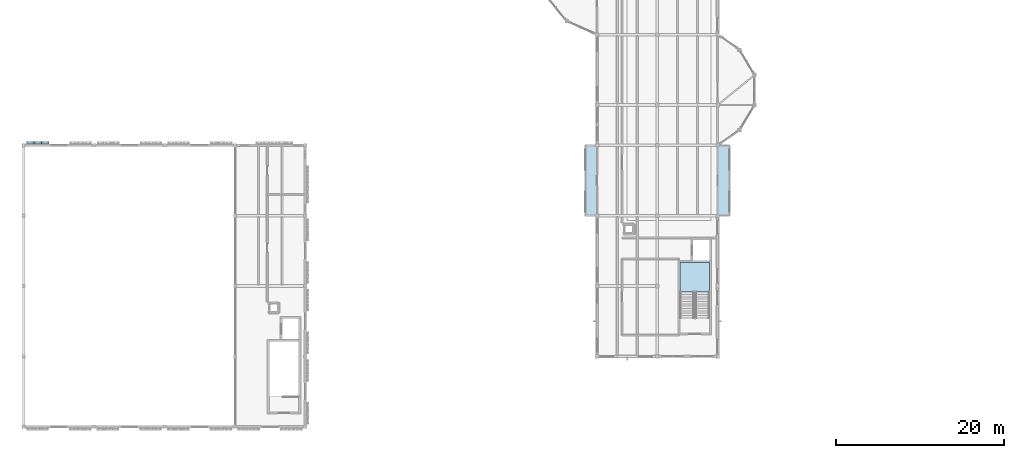
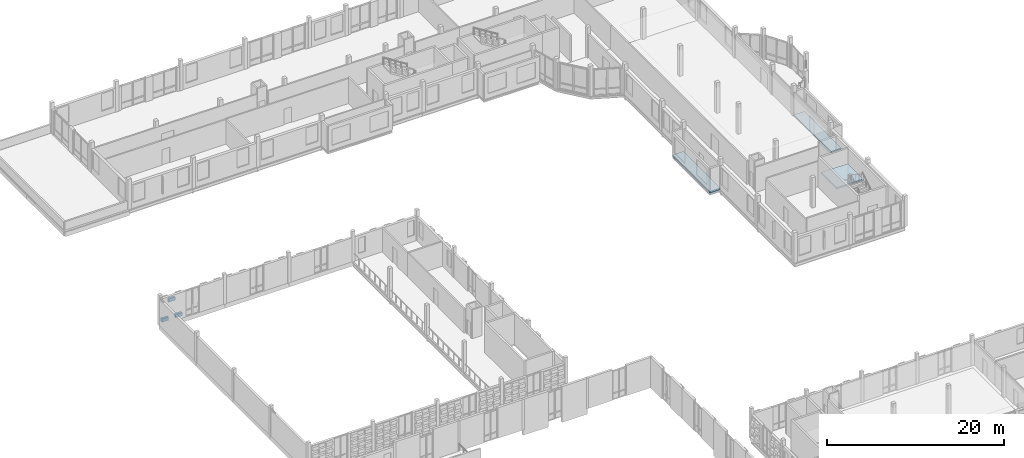
# One storey, part 37 of 81: 3 plates, 3 slabs, 1 element without a shape of its own.
"""IFC4 building model written with IfcOpenShell, lengths in metres."""

import ifcopenshell
import ifcopenshell.guid

model = None  # the IFC model being written
_history = None  # IfcOwnerHistory: only IFC2X3 demands one
_inside = {}  # id of a spatial element -> (the spatial element, [elements in it])
_under = {}  # id of a project, library or spatial element -> (it, [spatial elements below it])
_declared = {}  # id of a project -> (the project, [libraries it declares])
_typed = {}  # id of a type object -> (the type object, [elements of that type])
_made_of = {}  # id of a material, layer set ... -> (it, [elements and type objects made of it])


def new_model(schema):
    """Start an empty IFC model of exactly this schema.

    Asked for "IFC4X3", IfcOpenShell would pick the latest addendum, in which some entities
    have other attributes; the version numbers below select the first issue.
    IFC2X3 requires an IfcOwnerHistory on every rooted entity: one is made here for all.
    """
    global model, _history
    if schema == "IFC4X3":
        model = ifcopenshell.file(schema_version=(4, 3, 0, 0))
    else:
        model = ifcopenshell.file(schema=schema)
    _inside.clear()
    _under.clear()
    _declared.clear()
    _typed.clear()
    _made_of.clear()
    _history = None
    if model.schema == "IFC2X3":
        org = make("IfcOrganization", Name="unknown")
        user = make(
            "IfcPersonAndOrganization",
            ThePerson=make("IfcPerson", FamilyName="unknown"),
            TheOrganization=org,
        )
        app = make(
            "IfcApplication",
            ApplicationDeveloper=org,
            Version="unknown",
            ApplicationFullName="unknown",
            ApplicationIdentifier="unknown",
        )
        _history = make(
            "IfcOwnerHistory",
            OwningUser=user,
            OwningApplication=app,
            ChangeAction="ADDED",
            CreationDate=0,
        )
    return model


def make(cls, **values):
    """One entity of the class cls with the attributes given. An attribute that is None is left unset."""
    return model.create_entity(
        cls, **{name: value for name, value in values.items() if value is not None}
    )


def rooted(cls, **values):
    """An entity with a GlobalId (a new one), such as an element, a storey or a relation."""
    return make(cls, GlobalId=ifcopenshell.guid.new(), OwnerHistory=_history, **values)


def si_unit(unit_type, name, prefix=None):
    """IfcSIUnit, for example si_unit("LENGTHUNIT", "METRE", prefix="MILLI")."""
    return make("IfcSIUnit", UnitType=unit_type, Prefix=prefix, Name=name)


def assignment(units):
    """IfcUnitAssignment: the units of a project."""
    return None if units is None else make("IfcUnitAssignment", Units=units)


def point(xyz):
    """IfcCartesianPoint."""
    return None if xyz is None else make("IfcCartesianPoint", Coordinates=xyz)


def direction(xyz):
    """IfcDirection."""
    return None if xyz is None else make("IfcDirection", DirectionRatios=xyz)


def frame(location, z_axis=None, x_axis=None):
    """IfcAxis2Placement3D, a coordinate frame: its origin and axes. An axis left out is left unset."""
    return make(
        "IfcAxis2Placement3D",
        Location=point(location),
        Axis=direction(z_axis),
        RefDirection=direction(x_axis),
    )


def frame_2d(location, x_axis=None):
    """IfcAxis2Placement2D, a coordinate frame in the plane: its origin and x axis."""
    return make(
        "IfcAxis2Placement2D", Location=point(location), RefDirection=direction(x_axis)
    )


def origin():
    """The frame at (0, 0, 0) with its axes left unset."""
    return frame((0.0, 0.0, 0.0))


def origin_2d():
    """The frame at (0, 0) in the plane with its x axis left unset."""
    return frame_2d((0.0, 0.0))


def place(relative_to, where):
    """IfcLocalPlacement: puts the frame where relative to a parent placement (None: the world)."""
    return make(
        "IfcLocalPlacement", PlacementRelTo=relative_to, RelativePlacement=where
    )


def context(
    kind, dimensions, precision=None, world=None, true_north=None, identifier=None
):
    """IfcGeometricRepresentationContext, for example the 3D "Model" context."""
    return make(
        "IfcGeometricRepresentationContext",
        ContextIdentifier=identifier,
        ContextType=kind,
        CoordinateSpaceDimension=dimensions,
        Precision=precision,
        WorldCoordinateSystem=world,
        TrueNorth=true_north,
    )


def subcontext(parent, identifier, kind, view, scale=None):
    """IfcGeometricRepresentationSubContext, for example "Body" below "Model"."""
    return make(
        "IfcGeometricRepresentationSubContext",
        ContextIdentifier=identifier,
        ContextType=kind,
        ParentContext=parent,
        TargetScale=scale,
        TargetView=view,
    )


def project(units=None, contexts=None):
    """IfcProject with its units and contexts."""
    return rooted(
        "IfcProject",
        Name="project",
        RepresentationContexts=contexts,
        UnitsInContext=assignment(units),
    )


def spatial(cls, under=None, at=None, **own):
    """A site, building, storey or space (cls), placed at a placement, below another one or the project."""
    s = rooted(cls, ObjectPlacement=at, **own)
    if under is not None:
        _under.setdefault(under.id(), (under, []))[1].append(s)
    return s


def polyline(points):
    """IfcPolyline through the points."""
    return make("IfcPolyline", Points=[point(p) for p in points])


def profile(cls, at=None, kind="AREA", **sizes):
    """A parametric profile (cls). Its sizes go by their IFC names, for example OverallWidth=200.0."""
    return make(cls, ProfileType=kind, Position=at, **sizes)


def rectangle(**sizes):
    """IfcRectangleProfileDef."""
    return profile("IfcRectangleProfileDef", **sizes)


def outline(outer, holes=None, kind="AREA"):
    """IfcArbitraryClosedProfileDef: a profile drawn as a closed curve; with holes, ...WithVoids."""
    if holes is None:
        return make("IfcArbitraryClosedProfileDef", ProfileType=kind, OuterCurve=outer)
    return make(
        "IfcArbitraryProfileDefWithVoids",
        ProfileType=kind,
        OuterCurve=outer,
        InnerCurves=holes,
    )


def extrude(swept, where, along, depth):
    """IfcExtrudedAreaSolid: the profile swept, set in the frame where, extruded along a direction by depth."""
    return make(
        "IfcExtrudedAreaSolid",
        SweptArea=swept,
        Position=where,
        ExtrudedDirection=direction(along),
        Depth=depth,
    )


def shape(context_of_items, identifier, shape_type, items):
    """IfcShapeRepresentation: the items that make up one representation, for example the "Body"."""
    return make(
        "IfcShapeRepresentation",
        ContextOfItems=context_of_items,
        RepresentationIdentifier=identifier,
        RepresentationType=shape_type,
        Items=items,
    )


def material(Name=None, Category=None):
    """IfcMaterial."""
    return make("IfcMaterial", Name=Name, Category=Category)


def layer(
    of_material, thickness, ventilated=None, Name=None, Category=None, Priority=None
):
    """IfcMaterialLayer: one layer of a wall or slab, of a material (None: an air gap)."""
    return make(
        "IfcMaterialLayer",
        Material=of_material,
        LayerThickness=thickness,
        IsVentilated=ventilated,
        Name=Name,
        Category=Category,
        Priority=Priority,
    )


def layer_set(layers, Name=None):
    """IfcMaterialLayerSet."""
    return make("IfcMaterialLayerSet", MaterialLayers=layers, LayerSetName=Name)


def made_of(thing, what):
    """Note that an element or type object is made of a material, layer set ...; save() writes the relation."""
    if what is not None:
        _made_of.setdefault(what.id(), (what, []))[1].append(thing)
    return thing


def type_object(cls, material=None, **own):
    """A type object (cls), such as IfcWallType, which elements share."""
    return made_of(rooted(cls, **own), material)


def element(
    cls,
    number,
    at=None,
    inside=None,
    cuts=None,
    type_object=None,
    material=None,
    context=None,
    identifier="Body",
    shape_type=None,
    held_by="IfcProductDefinitionShape",
    body=None,
    shapes=None,
    **own,
):
    """One element of the class cls, such as IfcWall. Its Tag is "e" and its number.

    at: its placement. inside: the storey or other place that contains it. cuts: it is an
    opening in that element (IfcRelVoidsElement). A single representation is given by context,
    identifier, shape_type and body (its items); several are given by shapes. held_by: the class
    of the entity that holds the representations. save() writes the other relations.
    """
    e = rooted(cls, Tag="e%d" % number, ObjectPlacement=at, **own)
    if body is not None:
        shapes = [shape(context, identifier, shape_type, body)]
    if shapes is not None:
        e.Representation = make(held_by, Representations=shapes)
    if inside is not None:
        _inside.setdefault(inside.id(), (inside, []))[1].append(e)
    if cuts is not None:
        rooted(
            "IfcRelVoidsElement", RelatingBuildingElement=cuts, RelatedOpeningElement=e
        )
    if type_object is not None:
        _typed.setdefault(type_object.id(), (type_object, []))[1].append(e)
    return made_of(e, material)


def aggregate(whole, parts):
    """IfcRelAggregates: a whole, such as a stair, and the parts it consists of."""
    return rooted("IfcRelAggregates", RelatingObject=whole, RelatedObjects=parts)


def save(model, path):
    """Write the relations noted so far, then the file.

    IfcRelAggregates (storeys below a building ...), IfcRelContainedInSpatialStructure (elements
    in a storey), IfcRelDefinesByType, IfcRelAssociatesMaterial and IfcRelDeclares: one each for
    every whole, place, type object, material and project.
    """
    for whole, parts in _under.values():
        aggregate(whole, parts)
    for where, things in _inside.values():
        rooted(
            "IfcRelContainedInSpatialStructure",
            RelatedElements=things,
            RelatingStructure=where,
        )
    for kind, things in _typed.values():
        rooted("IfcRelDefinesByType", RelatedObjects=things, RelatingType=kind)
    for what, things in _made_of.values():
        rooted("IfcRelAssociatesMaterial", RelatedObjects=things, RelatingMaterial=what)
    for by, libraries in _declared.values():
        rooted("IfcRelDeclares", RelatingContext=by, RelatedDefinitions=libraries)
    model.write(path)


model = new_model("IFC4")

# Units and contexts
model_context = context("Model", 3, precision=1e-05, world=origin(), true_north=direction((0.0, 1.0)))
body_context = subcontext(model_context, "Body", "Model", "MODEL_VIEW")
ifc_project = project(units=[si_unit("LENGTHUNIT", "METRE"), si_unit("AREAUNIT", "SQUARE_METRE"), si_unit("VOLUMEUNIT", "CUBIC_METRE"), si_unit("PLANEANGLEUNIT", "RADIAN"), si_unit("MASSUNIT", "GRAM", prefix="KILO")], contexts=[model_context])

# Site, building, storey
site_placement = place(None, origin())
site = spatial("IfcSite", under=ifc_project, at=site_placement, CompositionType="ELEMENT")
building_placement = place(site_placement, origin())
building = spatial("IfcBuilding", under=site, at=building_placement, Name="Kahlenmark Community Centre", CompositionType="ELEMENT")
storey_placement = place(building_placement, frame((0.0, 0.0, 9.60009765625)))
storey = spatial("IfcBuildingStorey", under=building, at=storey_placement, Name="L02", CompositionType="ELEMENT", Elevation=9.60009765625)

# Plates
ifc_material_1 = material(Name="Extruded glazed terracotta weave cassette", Category="masonry")
ifc_layer_1 = layer(ifc_material_1, 0.300048828125)
ifc_layer_set_1 = layer_set([ifc_layer_1], Name="Extruded glazed terracotta weave cassette")
plate_type_1 = type_object("IfcPlateType", Name="PLT-TC-TC-R34-860X300X450", PredefinedType="SHEET", material=ifc_layer_set_1)
for number, where, z_axis, x_axis, name in (
    (1, (6.570068359375, 76.300048828125, 0.10009765625), (0.0, 0.0, 1.0), (-1.0, 0.0, 0.0), "Basketweave terracotta cassette 2494"),
    (2, (4.77001953125, 76.300048828125, 0.10009765625), (0.0, 0.0, 1.0), (-1.0, 0.0, 0.0), "Basketweave terracotta cassette 2508"),
):
    element("IfcPlate", number, at=place(storey_placement, frame(where, z_axis=z_axis, x_axis=x_axis)), inside=storey, type_object=plate_type_1, Name=name, PredefinedType="SHEET", context=body_context, shape_type="SweptSolid", body=[
        extrude(rectangle(XDim=0.860107421875, YDim=0.300048828125, at=origin_2d()), origin(), (0.0, 0.0, 1.0), 0.449951171875),
    ])
ifc_layer_2 = layer(ifc_material_1, 0.280029296875)
ifc_layer_set_2 = layer_set([ifc_layer_2], Name="Extruded glazed terracotta weave cassette")
plate_type_2 = type_object("IfcPlateType", Name="PLT-TC-TC-W30-860X280X450", PredefinedType="SHEET", material=ifc_layer_set_2)
plate_placement = place(storey_placement, frame((5.669921875, 76.2900390625, 2.5498046875), z_axis=(0.0, 0.0, 1.0), x_axis=(-1.0, 0.0, 0.0)))
element("IfcPlate", 3, at=plate_placement, inside=storey, type_object=plate_type_2, Name="Basketweave terracotta cassette 2506", PredefinedType="SHEET", context=body_context, shape_type="SweptSolid", body=[
    extrude(rectangle(XDim=0.860107421875, YDim=0.280029296875, at=origin_2d()), origin(), (0.0, 0.0, 1.0), 0.449951171875),
])

# Stair, slab
ifc_material_2 = material(Name="Concrete C35/45", Category="concrete")
stair_type = type_object("IfcStairType", Name="STT-CORE-ST-06-175", PredefinedType="HALF_TURN_STAIR", material=ifc_material_2)
stair_placement = place(storey_placement, origin())
stair = element("IfcStair", 4, at=stair_placement, inside=storey, type_object=stair_type, Name="L02 Core K6 Escape Stair ST-06", PredefinedType="HALF_TURN_STAIR")
ifc_layer_3 = layer(ifc_material_2, 0.199951171875)
ifc_layer_set_3 = layer_set([ifc_layer_3], Name="Concrete C35/45")
slab_type_1 = type_object("IfcSlabType", Name="SLT-CORE-200", PredefinedType="LANDING", material=ifc_layer_set_3)
slab_1_placement = place(storey_placement, frame((0.0, 0.0, 1.89990234375)))
slab_1 = element("IfcSlab", 5, at=slab_1_placement, type_object=slab_type_1, Name="ST-06 landing 1", PredefinedType="LANDING", context=body_context, shape_type="SweptSolid", body=[
    extrude(outline(polyline([(85.800048828125, 58.47998046875), (85.800048828125, 62.0), (82.300048828125, 62.0), (82.300048828125, 58.47998046875), (85.800048828125, 58.47998046875)])), origin(), (0.0, 0.0, 1.0), 0.199951171875),
])
aggregate(stair, [slab_1])

# Slabs
ifc_material_3 = material(Name="Cross-laminated timber CLT C24", Category="wood")
ifc_layer_4 = layer(ifc_material_3, 0.199951171875)
ifc_layer_set_4 = layer_set([ifc_layer_4], Name="Cross-laminated timber CLT C24")
slab_type_2 = type_object("IfcSlabType", Name="ST-FL-CLT200", PredefinedType="FLOOR", material=ifc_layer_set_4)
slab_2_placement = place(storey_placement, frame((0.0, 0.0, -0.2001953125)))
element("IfcSlab", 6, at=slab_2_placement, inside=storey, type_object=slab_type_2, Name="L02 reading-room bay oriel ORI-E1", PredefinedType="FLOOR", context=body_context, shape_type="SweptSolid", body=[
    extrude(outline(polyline([(86.800048828125, 67.60009765625), (88.199951171875, 67.60009765625), (88.199951171875, 76.0), (86.800048828125, 76.0), (86.800048828125, 67.60009765625)])), origin(), (0.0, 0.0, 1.0), 0.2001953125),
])
slab_3_placement = place(storey_placement, frame((0.0, 0.0, -0.2001953125)))
element("IfcSlab", 7, at=slab_3_placement, inside=storey, type_object=slab_type_2, Name="L02 reading-room bay oriel ORI-W1", PredefinedType="FLOOR", context=body_context, shape_type="SweptSolid", body=[
    extrude(outline(polyline([(71.0, 67.60009765625), (72.39990234375, 67.60009765625), (72.39990234375, 76.0), (71.0, 76.0), (71.0, 67.60009765625)])), origin(), (0.0, 0.0, 1.0), 0.2001953125),
])

save(model, "model.ifc")
